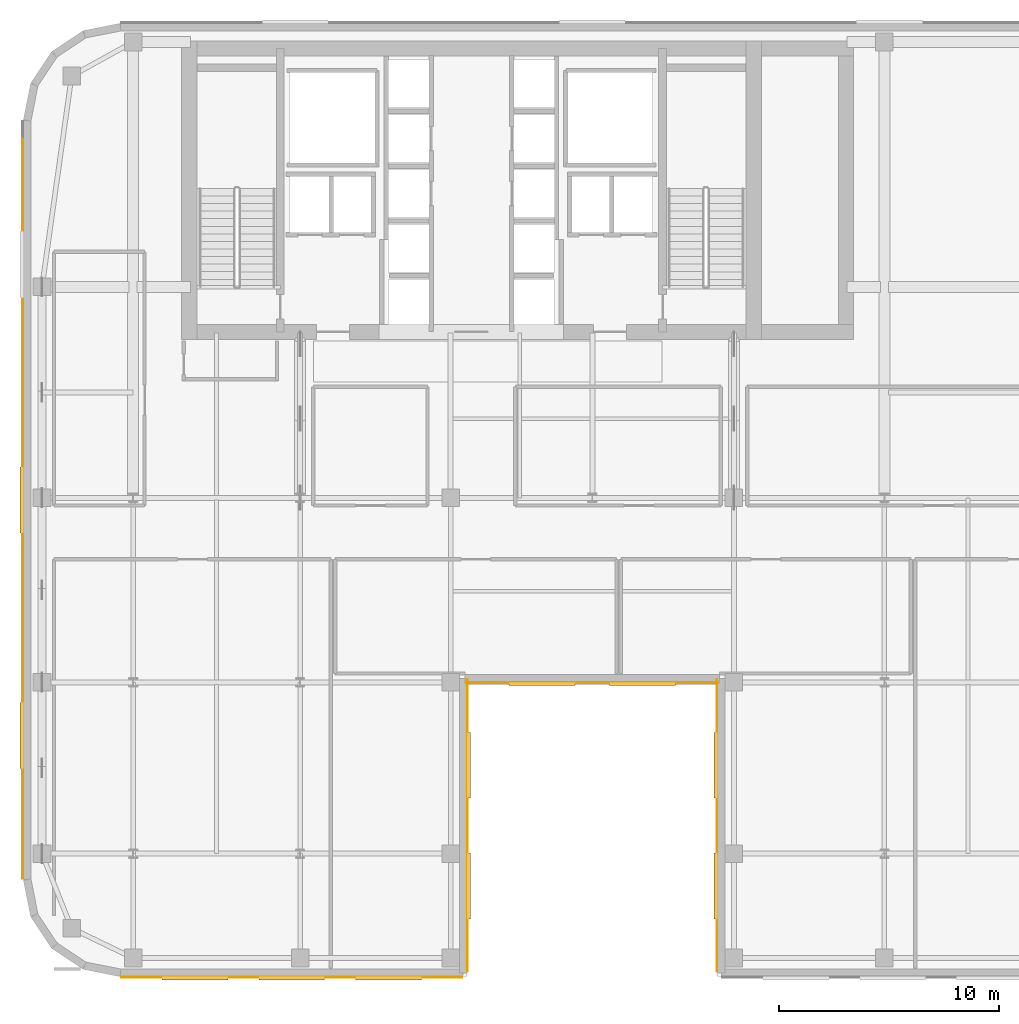
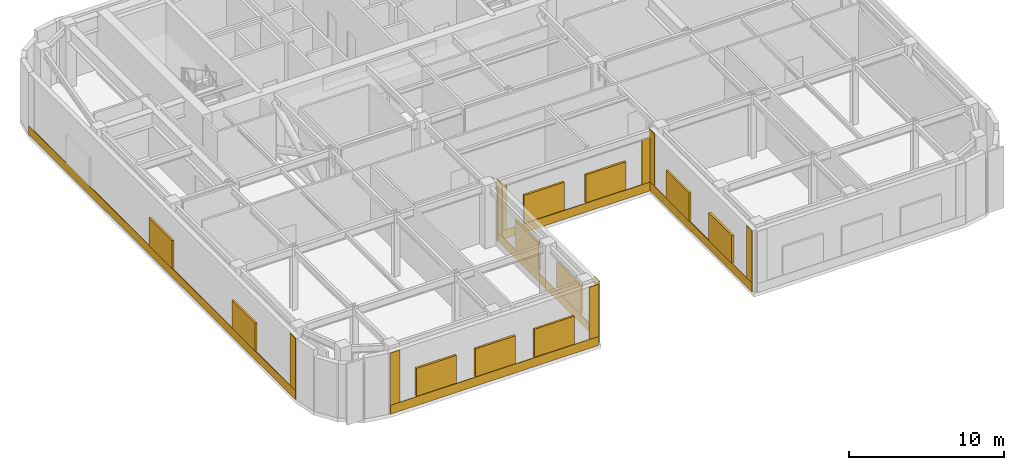
# One storey, part 8 of 12: 14 coverings, 11 shading devices.
"""IFC4 building model written with IfcOpenShell, lengths in metres."""

import ifcopenshell
import ifcopenshell.guid

model = None  # the IFC model being written
_history = None  # IfcOwnerHistory: only IFC2X3 demands one
_inside = {}  # id of a spatial element -> (the spatial element, [elements in it])
_under = {}  # id of a project, library or spatial element -> (it, [spatial elements below it])
_declared = {}  # id of a project -> (the project, [libraries it declares])
_typed = {}  # id of a type object -> (the type object, [elements of that type])
_made_of = {}  # id of a material, layer set ... -> (it, [elements and type objects made of it])


def new_model(schema):
    """Start an empty IFC model of exactly this schema.

    Asked for "IFC4X3", IfcOpenShell would pick the latest addendum, in which some entities
    have other attributes; the version numbers below select the first issue.
    IFC2X3 requires an IfcOwnerHistory on every rooted entity: one is made here for all.
    """
    global model, _history
    if schema == "IFC4X3":
        model = ifcopenshell.file(schema_version=(4, 3, 0, 0))
    else:
        model = ifcopenshell.file(schema=schema)
    _inside.clear()
    _under.clear()
    _declared.clear()
    _typed.clear()
    _made_of.clear()
    _history = None
    if model.schema == "IFC2X3":
        org = make("IfcOrganization", Name="unknown")
        user = make(
            "IfcPersonAndOrganization",
            ThePerson=make("IfcPerson", FamilyName="unknown"),
            TheOrganization=org,
        )
        app = make(
            "IfcApplication",
            ApplicationDeveloper=org,
            Version="unknown",
            ApplicationFullName="unknown",
            ApplicationIdentifier="unknown",
        )
        _history = make(
            "IfcOwnerHistory",
            OwningUser=user,
            OwningApplication=app,
            ChangeAction="ADDED",
            CreationDate=0,
        )
    return model


def make(cls, **values):
    """One entity of the class cls with the attributes given. An attribute that is None is left unset."""
    return model.create_entity(
        cls, **{name: value for name, value in values.items() if value is not None}
    )


def rooted(cls, **values):
    """An entity with a GlobalId (a new one), such as an element, a storey or a relation."""
    return make(cls, GlobalId=ifcopenshell.guid.new(), OwnerHistory=_history, **values)


def si_unit(unit_type, name, prefix=None):
    """IfcSIUnit, for example si_unit("LENGTHUNIT", "METRE", prefix="MILLI")."""
    return make("IfcSIUnit", UnitType=unit_type, Prefix=prefix, Name=name)


def assignment(units):
    """IfcUnitAssignment: the units of a project."""
    return None if units is None else make("IfcUnitAssignment", Units=units)


def point(xyz):
    """IfcCartesianPoint."""
    return None if xyz is None else make("IfcCartesianPoint", Coordinates=xyz)


def direction(xyz):
    """IfcDirection."""
    return None if xyz is None else make("IfcDirection", DirectionRatios=xyz)


def frame(location, z_axis=None, x_axis=None):
    """IfcAxis2Placement3D, a coordinate frame: its origin and axes. An axis left out is left unset."""
    return make(
        "IfcAxis2Placement3D",
        Location=point(location),
        Axis=direction(z_axis),
        RefDirection=direction(x_axis),
    )


def origin():
    """The frame at (0, 0, 0) with its axes left unset."""
    return frame((0.0, 0.0, 0.0))


def place(relative_to, where):
    """IfcLocalPlacement: puts the frame where relative to a parent placement (None: the world)."""
    return make(
        "IfcLocalPlacement", PlacementRelTo=relative_to, RelativePlacement=where
    )


def context(
    kind, dimensions, precision=None, world=None, true_north=None, identifier=None
):
    """IfcGeometricRepresentationContext, for example the 3D "Model" context."""
    return make(
        "IfcGeometricRepresentationContext",
        ContextIdentifier=identifier,
        ContextType=kind,
        CoordinateSpaceDimension=dimensions,
        Precision=precision,
        WorldCoordinateSystem=world,
        TrueNorth=true_north,
    )


def subcontext(parent, identifier, kind, view, scale=None):
    """IfcGeometricRepresentationSubContext, for example "Body" below "Model"."""
    return make(
        "IfcGeometricRepresentationSubContext",
        ContextIdentifier=identifier,
        ContextType=kind,
        ParentContext=parent,
        TargetScale=scale,
        TargetView=view,
    )


def project(units=None, contexts=None):
    """IfcProject with its units and contexts."""
    return rooted(
        "IfcProject",
        Name="project",
        RepresentationContexts=contexts,
        UnitsInContext=assignment(units),
    )


def spatial(cls, under=None, at=None, **own):
    """A site, building, storey or space (cls), placed at a placement, below another one or the project."""
    s = rooted(cls, ObjectPlacement=at, **own)
    if under is not None:
        _under.setdefault(under.id(), (under, []))[1].append(s)
    return s


def polyline(points):
    """IfcPolyline through the points."""
    return make("IfcPolyline", Points=[point(p) for p in points])


def outline(outer, holes=None, kind="AREA"):
    """IfcArbitraryClosedProfileDef: a profile drawn as a closed curve; with holes, ...WithVoids."""
    if holes is None:
        return make("IfcArbitraryClosedProfileDef", ProfileType=kind, OuterCurve=outer)
    return make(
        "IfcArbitraryProfileDefWithVoids",
        ProfileType=kind,
        OuterCurve=outer,
        InnerCurves=holes,
    )


def extrude(swept, where, along, depth):
    """IfcExtrudedAreaSolid: the profile swept, set in the frame where, extruded along a direction by depth."""
    return make(
        "IfcExtrudedAreaSolid",
        SweptArea=swept,
        Position=where,
        ExtrudedDirection=direction(along),
        Depth=depth,
    )


def shape(context_of_items, identifier, shape_type, items):
    """IfcShapeRepresentation: the items that make up one representation, for example the "Body"."""
    return make(
        "IfcShapeRepresentation",
        ContextOfItems=context_of_items,
        RepresentationIdentifier=identifier,
        RepresentationType=shape_type,
        Items=items,
    )


def material(Name=None, Category=None):
    """IfcMaterial."""
    return make("IfcMaterial", Name=Name, Category=Category)


def layer(
    of_material, thickness, ventilated=None, Name=None, Category=None, Priority=None
):
    """IfcMaterialLayer: one layer of a wall or slab, of a material (None: an air gap)."""
    return make(
        "IfcMaterialLayer",
        Material=of_material,
        LayerThickness=thickness,
        IsVentilated=ventilated,
        Name=Name,
        Category=Category,
        Priority=Priority,
    )


def layer_set(layers, Name=None):
    """IfcMaterialLayerSet."""
    return make("IfcMaterialLayerSet", MaterialLayers=layers, LayerSetName=Name)


def made_of(thing, what):
    """Note that an element or type object is made of a material, layer set ...; save() writes the relation."""
    if what is not None:
        _made_of.setdefault(what.id(), (what, []))[1].append(thing)
    return thing


def type_object(cls, material=None, **own):
    """A type object (cls), such as IfcWallType, which elements share."""
    return made_of(rooted(cls, **own), material)


def element(
    cls,
    number,
    at=None,
    inside=None,
    cuts=None,
    type_object=None,
    material=None,
    context=None,
    identifier="Body",
    shape_type=None,
    held_by="IfcProductDefinitionShape",
    body=None,
    shapes=None,
    **own,
):
    """One element of the class cls, such as IfcWall. Its Tag is "e" and its number.

    at: its placement. inside: the storey or other place that contains it. cuts: it is an
    opening in that element (IfcRelVoidsElement). A single representation is given by context,
    identifier, shape_type and body (its items); several are given by shapes. held_by: the class
    of the entity that holds the representations. save() writes the other relations.
    """
    e = rooted(cls, Tag="e%d" % number, ObjectPlacement=at, **own)
    if body is not None:
        shapes = [shape(context, identifier, shape_type, body)]
    if shapes is not None:
        e.Representation = make(held_by, Representations=shapes)
    if inside is not None:
        _inside.setdefault(inside.id(), (inside, []))[1].append(e)
    if cuts is not None:
        rooted(
            "IfcRelVoidsElement", RelatingBuildingElement=cuts, RelatedOpeningElement=e
        )
    if type_object is not None:
        _typed.setdefault(type_object.id(), (type_object, []))[1].append(e)
    return made_of(e, material)


def aggregate(whole, parts):
    """IfcRelAggregates: a whole, such as a stair, and the parts it consists of."""
    return rooted("IfcRelAggregates", RelatingObject=whole, RelatedObjects=parts)


def save(model, path):
    """Write the relations noted so far, then the file.

    IfcRelAggregates (storeys below a building ...), IfcRelContainedInSpatialStructure (elements
    in a storey), IfcRelDefinesByType, IfcRelAssociatesMaterial and IfcRelDeclares: one each for
    every whole, place, type object, material and project.
    """
    for whole, parts in _under.values():
        aggregate(whole, parts)
    for where, things in _inside.values():
        rooted(
            "IfcRelContainedInSpatialStructure",
            RelatedElements=things,
            RelatingStructure=where,
        )
    for kind, things in _typed.values():
        rooted("IfcRelDefinesByType", RelatedObjects=things, RelatingType=kind)
    for what, things in _made_of.values():
        rooted("IfcRelAssociatesMaterial", RelatedObjects=things, RelatingMaterial=what)
    for by, libraries in _declared.values():
        rooted("IfcRelDeclares", RelatingContext=by, RelatedDefinitions=libraries)
    model.write(path)


model = new_model("IFC4")

# Units and contexts
model_context = context("Model", 3, precision=1e-05, world=origin(), true_north=direction((0.0, 1.0)))
body_context = subcontext(model_context, "Body", "Model", "MODEL_VIEW")
ifc_project = project(units=[si_unit("LENGTHUNIT", "METRE"), si_unit("AREAUNIT", "SQUARE_METRE"), si_unit("VOLUMEUNIT", "CUBIC_METRE"), si_unit("PLANEANGLEUNIT", "RADIAN"), si_unit("MASSUNIT", "GRAM", prefix="KILO")], contexts=[model_context])

# Site, building, storey
site_placement = place(None, origin())
site = spatial("IfcSite", under=ifc_project, at=site_placement, CompositionType="ELEMENT")
building_placement = place(site_placement, origin())
building = spatial("IfcBuilding", under=site, at=building_placement, Name="Tolvann Quenvar Hotel", CompositionType="ELEMENT")
storey_placement = place(building_placement, frame((0.0, 0.0, 182.550048828125)))
storey = spatial("IfcBuildingStorey", under=building, at=storey_placement, Name="L48", CompositionType="ELEMENT", Elevation=182.550048828125)

# Coverings
ifc_material_1 = material(Name="Kiln-fired red architectural face brick cladding", Category="masonry")
ifc_layer_1 = layer(ifc_material_1, 0.0400390625)
ifc_layer_set_1 = layer_set([ifc_layer_1], Name="Kiln-fired red architectural face brick cladding")
covering_type_1 = type_object("IfcCoveringType", Name="COV_CLAD_BRICK_40", PredefinedType="CLADDING", material=ifc_layer_set_1)
covering_1_placement = place(storey_placement, frame((0.0, 0.0, 0.699951171875)))
element("IfcCovering", 1, at=covering_1_placement, inside=storey, type_object=covering_type_1, Name="Brick Pier Cladding (L48-E04-P1)", PredefinedType="CLADDING", context=body_context, shape_type="SweptSolid", body=[
    extrude(outline(polyline([(7.067138671875, 2.60009765625), (7.76708984375, 2.60009765625), (7.76708984375, 2.56005859375), (7.067138671875, 2.56005859375), (7.067138671875, 2.60009765625)])), origin(), (0.0, 0.0, 1.0), 4.1201171875),
])
covering_2_placement = place(storey_placement, frame((0.0, 0.0, 0.699951171875)))
element("IfcCovering", 2, at=covering_2_placement, inside=storey, type_object=covering_type_1, Name="Brick Pier Cladding (L48-E04-P2)", PredefinedType="CLADDING", context=body_context, shape_type="SweptSolid", body=[
    extrude(outline(polyline([(21.875, 2.60009765625), (22.574951171875, 2.60009765625), (22.574951171875, 2.56005859375), (21.875, 2.56005859375), (21.875, 2.60009765625)])), origin(), (0.0, 0.0, 1.0), 4.1201171875),
])
covering_3_placement = place(storey_placement, frame((0.0, 0.0, 0.699951171875)))
element("IfcCovering", 3, at=covering_3_placement, inside=storey, type_object=covering_type_1, Name="Brick Pier Cladding (L48-E05-P1)", PredefinedType="CLADDING", context=body_context, shape_type="SweptSolid", body=[
    extrude(outline(polyline([(22.800048828125, 2.824951171875), (22.800048828125, 3.52490234375), (22.840087890625, 3.52490234375), (22.840087890625, 2.824951171875), (22.800048828125, 2.824951171875)])), origin(), (0.0, 0.0, 1.0), 4.1201171875),
])
covering_4_placement = place(storey_placement, frame((0.0, 0.0, 0.699951171875)))
element("IfcCovering", 4, at=covering_4_placement, inside=storey, type_object=covering_type_1, Name="Brick Pier Cladding (L48-E05-P2)", PredefinedType="CLADDING", context=body_context, shape_type="SweptSolid", body=[
    extrude(outline(polyline([(22.800048828125, 15.425048828125), (22.800048828125, 16.125), (22.840087890625, 16.125), (22.840087890625, 15.425048828125), (22.800048828125, 15.425048828125)])), origin(), (0.0, 0.0, 1.0), 4.1201171875),
])
covering_5_placement = place(storey_placement, frame((0.0, 0.0, 0.699951171875)))
element("IfcCovering", 5, at=covering_5_placement, inside=storey, type_object=covering_type_1, Name="Brick Pier Cladding (L48-E06-P1)", PredefinedType="CLADDING", context=body_context, shape_type="SweptSolid", body=[
    extrude(outline(polyline([(22.760009765625, 16.0), (23.4599609375, 16.0), (23.4599609375, 15.9599609375), (22.760009765625, 15.9599609375), (22.760009765625, 16.0)])), origin(), (0.0, 0.0, 1.0), 3.508056640625),
])
covering_6_placement = place(storey_placement, frame((0.0, 0.0, 0.699951171875)))
element("IfcCovering", 6, at=covering_6_placement, inside=storey, type_object=covering_type_1, Name="Brick Pier Cladding (L48-E06-P2)", PredefinedType="CLADDING", context=body_context, shape_type="SweptSolid", body=[
    extrude(outline(polyline([(33.5400390625, 16.0), (34.239990234375, 16.0), (34.239990234375, 15.9599609375), (33.5400390625, 15.9599609375), (33.5400390625, 16.0)])), origin(), (0.0, 0.0, 1.0), 3.508056640625),
])
covering_7_placement = place(storey_placement, frame((0.0, 0.0, 0.699951171875)))
element("IfcCovering", 7, at=covering_7_placement, inside=storey, type_object=covering_type_1, Name="Brick Pier Cladding (L48-E07-P1)", PredefinedType="CLADDING", context=body_context, shape_type="SweptSolid", body=[
    extrude(outline(polyline([(34.199951171875, 16.125), (34.199951171875, 15.425048828125), (34.159912109375, 15.425048828125), (34.159912109375, 16.125), (34.199951171875, 16.125)])), origin(), (0.0, 0.0, 1.0), 4.1201171875),
])
covering_8_placement = place(storey_placement, frame((0.0, 0.0, 0.699951171875)))
element("IfcCovering", 8, at=covering_8_placement, inside=storey, type_object=covering_type_1, Name="Brick Pier Cladding (L48-E07-P2)", PredefinedType="CLADDING", context=body_context, shape_type="SweptSolid", body=[
    extrude(outline(polyline([(34.199951171875, 3.52490234375), (34.199951171875, 2.824951171875), (34.159912109375, 2.824951171875), (34.159912109375, 3.52490234375), (34.199951171875, 3.52490234375)])), origin(), (0.0, 0.0, 1.0), 4.1201171875),
])
covering_9_placement = place(storey_placement, frame((0.0, 0.0, 0.699951171875)))
element("IfcCovering", 9, at=covering_9_placement, inside=storey, type_object=covering_type_1, Name="Brick Pier Cladding (L48-E23-P2)", PredefinedType="CLADDING", context=body_context, shape_type="SweptSolid", body=[
    extrude(outline(polyline([(2.60009765625, 7.76708984375), (2.60009765625, 7.067138671875), (2.56005859375, 7.067138671875), (2.56005859375, 7.76708984375), (2.60009765625, 7.76708984375)])), origin(), (0.0, 0.0, 1.0), 4.1201171875),
])
ifc_material_2 = material(Name="Moulded buff architectural terracotta spandrel cladding", Category="masonry")
ifc_layer_2 = layer(ifc_material_2, 0.0400390625)
ifc_layer_set_2 = layer_set([ifc_layer_2], Name="Moulded buff architectural terracotta spandrel cladding")
covering_type_2 = type_object("IfcCoveringType", Name="COV_CLAD_TERRA_40", PredefinedType="CLADDING", material=ifc_layer_set_2)
covering_10_placement = place(storey_placement, origin())
element("IfcCovering", 10, at=covering_10_placement, inside=storey, type_object=covering_type_2, Name="Terracotta Spandrel Cladding (L48-E04)", PredefinedType="CLADDING", context=body_context, shape_type="SweptSolid", body=[
    extrude(outline(polyline([(7.05712890625, 2.60009765625), (22.5849609375, 2.60009765625), (22.5849609375, 2.56005859375), (7.05712890625, 2.56005859375), (7.05712890625, 2.60009765625)])), origin(), (0.0, 0.0, 1.0), 0.699951171875),
])
covering_11_placement = place(storey_placement, origin())
element("IfcCovering", 11, at=covering_11_placement, inside=storey, type_object=covering_type_2, Name="Terracotta Spandrel Cladding (L48-E05)", PredefinedType="CLADDING", context=body_context, shape_type="SweptSolid", body=[
    extrude(outline(polyline([(22.800048828125, 2.81494140625), (22.800048828125, 16.135009765625), (22.840087890625, 16.135009765625), (22.840087890625, 2.81494140625), (22.800048828125, 2.81494140625)])), origin(), (0.0, 0.0, 1.0), 0.699951171875),
])
covering_12_placement = place(storey_placement, origin())
element("IfcCovering", 12, at=covering_12_placement, inside=storey, type_object=covering_type_2, Name="Terracotta Spandrel Cladding (L48-E06)", PredefinedType="CLADDING", context=body_context, shape_type="SweptSolid", body=[
    extrude(outline(polyline([(22.75, 16.0), (34.25, 16.0), (34.25, 15.9599609375), (22.75, 15.9599609375), (22.75, 16.0)])), origin(), (0.0, 0.0, 1.0), 0.699951171875),
])
covering_13_placement = place(storey_placement, origin())
element("IfcCovering", 13, at=covering_13_placement, inside=storey, type_object=covering_type_2, Name="Terracotta Spandrel Cladding (L48-E07)", PredefinedType="CLADDING", context=body_context, shape_type="SweptSolid", body=[
    extrude(outline(polyline([(34.199951171875, 16.135009765625), (34.199951171875, 2.81494140625), (34.159912109375, 2.81494140625), (34.159912109375, 16.135009765625), (34.199951171875, 16.135009765625)])), origin(), (0.0, 0.0, 1.0), 0.699951171875),
])
covering_14_placement = place(storey_placement, origin())
element("IfcCovering", 14, at=covering_14_placement, inside=storey, type_object=covering_type_2, Name="Terracotta Spandrel Cladding (L48-E23)", PredefinedType="CLADDING", context=body_context, shape_type="SweptSolid", body=[
    extrude(outline(polyline([(2.60009765625, 41.542724609375), (2.60009765625, 7.05712890625), (2.56005859375, 7.05712890625), (2.56005859375, 41.542724609375), (2.60009765625, 41.542724609375)])), origin(), (0.0, 0.0, 1.0), 0.699951171875),
])

# Shading devices
ifc_material_3 = material(Name="Extruded bronze-anodised aluminium acoustic weather louvre", Category="aluminium")
shading_device_type = type_object("IfcShadingDeviceType", Name="SHD_LOUVRE_AL", PredefinedType="JALOUSIE", material=ifc_material_3)
shading_device_1_placement = place(storey_placement, frame((0.0, 0.0, 0.820068359375)))
element("IfcShadingDevice", 15, at=shading_device_1_placement, inside=storey, type_object=shading_device_type, Name="Acoustic Plant Weather Louvre (L48-E04-1)", PredefinedType="JALOUSIE", context=body_context, shape_type="SweptSolid", body=[
    extrude(outline(polyline([(8.91845703125, 2.60009765625), (11.91845703125, 2.60009765625), (11.91845703125, 2.449951171875), (8.91845703125, 2.449951171875), (8.91845703125, 2.60009765625)])), origin(), (0.0, 0.0, 1.0), 2.199951171875),
])
shading_device_2_placement = place(storey_placement, frame((0.0, 0.0, 0.820068359375)))
element("IfcShadingDevice", 16, at=shading_device_2_placement, inside=storey, type_object=shading_device_type, Name="Acoustic Plant Weather Louvre (L48-E04-2)", PredefinedType="JALOUSIE", context=body_context, shape_type="SweptSolid", body=[
    extrude(outline(polyline([(13.321044921875, 2.60009765625), (16.321044921875, 2.60009765625), (16.321044921875, 2.449951171875), (13.321044921875, 2.449951171875), (13.321044921875, 2.60009765625)])), origin(), (0.0, 0.0, 1.0), 2.199951171875),
])
shading_device_3_placement = place(storey_placement, frame((0.0, 0.0, 0.820068359375)))
element("IfcShadingDevice", 17, at=shading_device_3_placement, inside=storey, type_object=shading_device_type, Name="Acoustic Plant Weather Louvre (L48-E04-3)", PredefinedType="JALOUSIE", context=body_context, shape_type="SweptSolid", body=[
    extrude(outline(polyline([(17.7236328125, 2.60009765625), (20.7236328125, 2.60009765625), (20.7236328125, 2.449951171875), (17.7236328125, 2.449951171875), (17.7236328125, 2.60009765625)])), origin(), (0.0, 0.0, 1.0), 2.199951171875),
])
shading_device_4_placement = place(storey_placement, frame((0.0, 0.0, 0.820068359375)))
element("IfcShadingDevice", 18, at=shading_device_4_placement, inside=storey, type_object=shading_device_type, Name="Acoustic Plant Weather Louvre (L48-E05-1)", PredefinedType="JALOUSIE", context=body_context, shape_type="SweptSolid", body=[
    extrude(outline(polyline([(22.800048828125, 5.22509765625), (22.800048828125, 8.22509765625), (22.949951171875, 8.22509765625), (22.949951171875, 5.22509765625), (22.800048828125, 5.22509765625)])), origin(), (0.0, 0.0, 1.0), 2.199951171875),
])
shading_device_5_placement = place(storey_placement, frame((0.0, 0.0, 0.820068359375)))
element("IfcShadingDevice", 19, at=shading_device_5_placement, inside=storey, type_object=shading_device_type, Name="Acoustic Plant Weather Louvre (L48-E05-2)", PredefinedType="JALOUSIE", context=body_context, shape_type="SweptSolid", body=[
    extrude(outline(polyline([(22.800048828125, 10.72509765625), (22.800048828125, 13.72509765625), (22.949951171875, 13.72509765625), (22.949951171875, 10.72509765625), (22.800048828125, 10.72509765625)])), origin(), (0.0, 0.0, 1.0), 2.199951171875),
])
shading_device_6_placement = place(storey_placement, frame((0.0, 0.0, 0.820068359375)))
element("IfcShadingDevice", 20, at=shading_device_6_placement, inside=storey, type_object=shading_device_type, Name="Acoustic Plant Weather Louvre (L48-E06-1)", PredefinedType="JALOUSIE", context=body_context, shape_type="SweptSolid", body=[
    extrude(outline(polyline([(24.705078125, 16.0), (27.705078125, 16.0), (27.705078125, 15.85009765625), (24.705078125, 15.85009765625), (24.705078125, 16.0)])), origin(), (0.0, 0.0, 1.0), 2.199951171875),
])
shading_device_7_placement = place(storey_placement, frame((0.0, 0.0, 0.820068359375)))
element("IfcShadingDevice", 21, at=shading_device_7_placement, inside=storey, type_object=shading_device_type, Name="Acoustic Plant Weather Louvre (L48-E06-2)", PredefinedType="JALOUSIE", context=body_context, shape_type="SweptSolid", body=[
    extrude(outline(polyline([(29.294921875, 16.0), (32.294921875, 16.0), (32.294921875, 15.85009765625), (29.294921875, 15.85009765625), (29.294921875, 16.0)])), origin(), (0.0, 0.0, 1.0), 2.199951171875),
])
shading_device_8_placement = place(storey_placement, frame((0.0, 0.0, 0.820068359375)))
element("IfcShadingDevice", 22, at=shading_device_8_placement, inside=storey, type_object=shading_device_type, Name="Acoustic Plant Weather Louvre (L48-E07-1)", PredefinedType="JALOUSIE", context=body_context, shape_type="SweptSolid", body=[
    extrude(outline(polyline([(34.199951171875, 13.72509765625), (34.199951171875, 10.72509765625), (34.050048828125, 10.72509765625), (34.050048828125, 13.72509765625), (34.199951171875, 13.72509765625)])), origin(), (0.0, 0.0, 1.0), 2.199951171875),
])
shading_device_9_placement = place(storey_placement, frame((0.0, 0.0, 0.820068359375)))
element("IfcShadingDevice", 23, at=shading_device_9_placement, inside=storey, type_object=shading_device_type, Name="Acoustic Plant Weather Louvre (L48-E07-2)", PredefinedType="JALOUSIE", context=body_context, shape_type="SweptSolid", body=[
    extrude(outline(polyline([(34.199951171875, 8.22509765625), (34.199951171875, 5.22509765625), (34.050048828125, 5.22509765625), (34.050048828125, 8.22509765625), (34.199951171875, 8.22509765625)])), origin(), (0.0, 0.0, 1.0), 2.199951171875),
])
shading_device_10_placement = place(storey_placement, frame((0.0, 0.0, 0.820068359375)))
element("IfcShadingDevice", 24, at=shading_device_10_placement, inside=storey, type_object=shading_device_type, Name="Acoustic Plant Weather Louvre (L48-E23-2)", PredefinedType="JALOUSIE", context=body_context, shape_type="SweptSolid", body=[
    extrude(outline(polyline([(2.60009765625, 25.800048828125), (2.60009765625, 22.800048828125), (2.449951171875, 22.800048828125), (2.449951171875, 25.800048828125), (2.60009765625, 25.800048828125)])), origin(), (0.0, 0.0, 1.0), 2.199951171875),
])
shading_device_11_placement = place(storey_placement, frame((0.0, 0.0, 0.820068359375)))
element("IfcShadingDevice", 25, at=shading_device_11_placement, inside=storey, type_object=shading_device_type, Name="Acoustic Plant Weather Louvre (L48-E23-3)", PredefinedType="JALOUSIE", context=body_context, shape_type="SweptSolid", body=[
    extrude(outline(polyline([(2.60009765625, 15.078125), (2.60009765625, 12.078125), (2.449951171875, 12.078125), (2.449951171875, 15.078125), (2.60009765625, 15.078125)])), origin(), (0.0, 0.0, 1.0), 2.199951171875),
])

save(model, "model.ifc")
